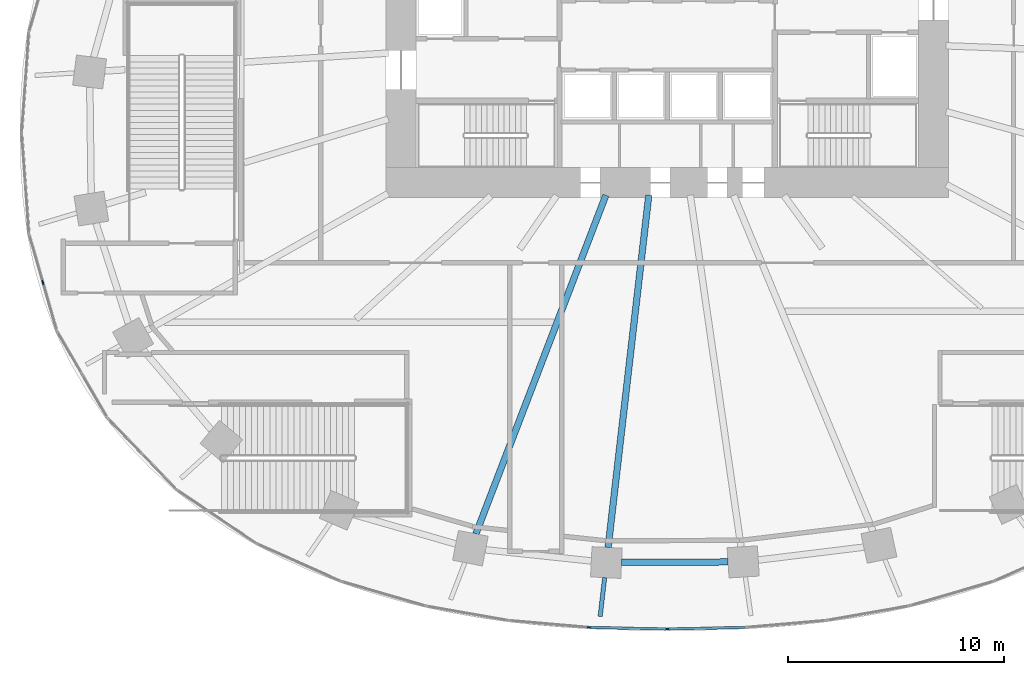
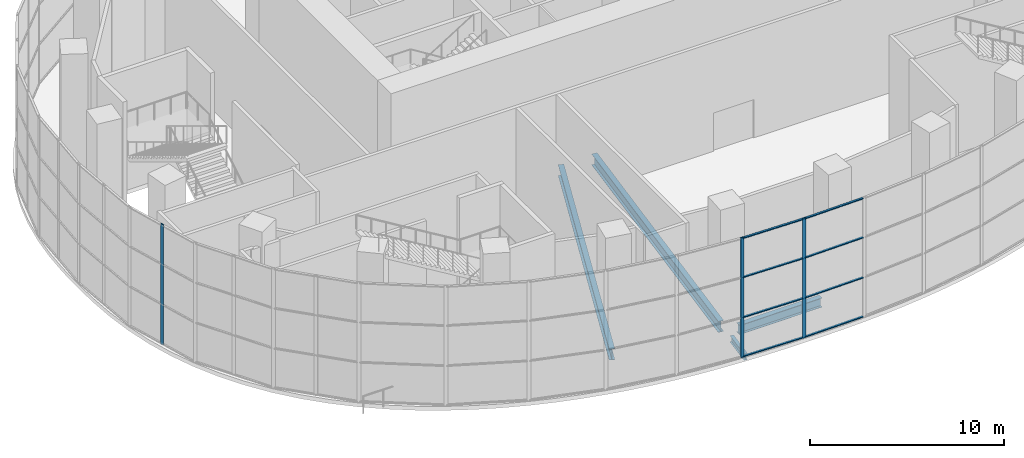
# One storey, part 3 of 22: 11 members, 4 beams, 3 elements without a shape of their own.
"""IFC4 building model written with IfcOpenShell, lengths in metres."""

import ifcopenshell
import ifcopenshell.guid

model = None  # the IFC model being written
_history = None  # IfcOwnerHistory: only IFC2X3 demands one
_inside = {}  # id of a spatial element -> (the spatial element, [elements in it])
_under = {}  # id of a project, library or spatial element -> (it, [spatial elements below it])
_declared = {}  # id of a project -> (the project, [libraries it declares])
_typed = {}  # id of a type object -> (the type object, [elements of that type])
_made_of = {}  # id of a material, layer set ... -> (it, [elements and type objects made of it])


def new_model(schema):
    """Start an empty IFC model of exactly this schema.

    Asked for "IFC4X3", IfcOpenShell would pick the latest addendum, in which some entities
    have other attributes; the version numbers below select the first issue.
    IFC2X3 requires an IfcOwnerHistory on every rooted entity: one is made here for all.
    """
    global model, _history
    if schema == "IFC4X3":
        model = ifcopenshell.file(schema_version=(4, 3, 0, 0))
    else:
        model = ifcopenshell.file(schema=schema)
    _inside.clear()
    _under.clear()
    _declared.clear()
    _typed.clear()
    _made_of.clear()
    _history = None
    if model.schema == "IFC2X3":
        org = make("IfcOrganization", Name="unknown")
        user = make(
            "IfcPersonAndOrganization",
            ThePerson=make("IfcPerson", FamilyName="unknown"),
            TheOrganization=org,
        )
        app = make(
            "IfcApplication",
            ApplicationDeveloper=org,
            Version="unknown",
            ApplicationFullName="unknown",
            ApplicationIdentifier="unknown",
        )
        _history = make(
            "IfcOwnerHistory",
            OwningUser=user,
            OwningApplication=app,
            ChangeAction="ADDED",
            CreationDate=0,
        )
    return model


def make(cls, **values):
    """One entity of the class cls with the attributes given. An attribute that is None is left unset."""
    return model.create_entity(
        cls, **{name: value for name, value in values.items() if value is not None}
    )


def rooted(cls, **values):
    """An entity with a GlobalId (a new one), such as an element, a storey or a relation."""
    return make(cls, GlobalId=ifcopenshell.guid.new(), OwnerHistory=_history, **values)


def si_unit(unit_type, name, prefix=None):
    """IfcSIUnit, for example si_unit("LENGTHUNIT", "METRE", prefix="MILLI")."""
    return make("IfcSIUnit", UnitType=unit_type, Prefix=prefix, Name=name)


def assignment(units):
    """IfcUnitAssignment: the units of a project."""
    return None if units is None else make("IfcUnitAssignment", Units=units)


def point(xyz):
    """IfcCartesianPoint."""
    return None if xyz is None else make("IfcCartesianPoint", Coordinates=xyz)


def direction(xyz):
    """IfcDirection."""
    return None if xyz is None else make("IfcDirection", DirectionRatios=xyz)


def frame(location, z_axis=None, x_axis=None):
    """IfcAxis2Placement3D, a coordinate frame: its origin and axes. An axis left out is left unset."""
    return make(
        "IfcAxis2Placement3D",
        Location=point(location),
        Axis=direction(z_axis),
        RefDirection=direction(x_axis),
    )


def frame_2d(location, x_axis=None):
    """IfcAxis2Placement2D, a coordinate frame in the plane: its origin and x axis."""
    return make(
        "IfcAxis2Placement2D", Location=point(location), RefDirection=direction(x_axis)
    )


def origin():
    """The frame at (0, 0, 0) with its axes left unset."""
    return frame((0.0, 0.0, 0.0))


def origin_2d():
    """The frame at (0, 0) in the plane with its x axis left unset."""
    return frame_2d((0.0, 0.0))


def place(relative_to, where):
    """IfcLocalPlacement: puts the frame where relative to a parent placement (None: the world)."""
    return make(
        "IfcLocalPlacement", PlacementRelTo=relative_to, RelativePlacement=where
    )


def context(
    kind, dimensions, precision=None, world=None, true_north=None, identifier=None
):
    """IfcGeometricRepresentationContext, for example the 3D "Model" context."""
    return make(
        "IfcGeometricRepresentationContext",
        ContextIdentifier=identifier,
        ContextType=kind,
        CoordinateSpaceDimension=dimensions,
        Precision=precision,
        WorldCoordinateSystem=world,
        TrueNorth=true_north,
    )


def subcontext(parent, identifier, kind, view, scale=None):
    """IfcGeometricRepresentationSubContext, for example "Body" below "Model"."""
    return make(
        "IfcGeometricRepresentationSubContext",
        ContextIdentifier=identifier,
        ContextType=kind,
        ParentContext=parent,
        TargetScale=scale,
        TargetView=view,
    )


def project(units=None, contexts=None):
    """IfcProject with its units and contexts."""
    return rooted(
        "IfcProject",
        Name="project",
        RepresentationContexts=contexts,
        UnitsInContext=assignment(units),
    )


def spatial(cls, under=None, at=None, **own):
    """A site, building, storey or space (cls), placed at a placement, below another one or the project."""
    s = rooted(cls, ObjectPlacement=at, **own)
    if under is not None:
        _under.setdefault(under.id(), (under, []))[1].append(s)
    return s


def profile(cls, at=None, kind="AREA", **sizes):
    """A parametric profile (cls). Its sizes go by their IFC names, for example OverallWidth=200.0."""
    return make(cls, ProfileType=kind, Position=at, **sizes)


def rectangle(**sizes):
    """IfcRectangleProfileDef."""
    return profile("IfcRectangleProfileDef", **sizes)


def i_section(**sizes):
    """IfcIShapeProfileDef."""
    return profile("IfcIShapeProfileDef", **sizes)


def extrude(swept, where, along, depth):
    """IfcExtrudedAreaSolid: the profile swept, set in the frame where, extruded along a direction by depth."""
    return make(
        "IfcExtrudedAreaSolid",
        SweptArea=swept,
        Position=where,
        ExtrudedDirection=direction(along),
        Depth=depth,
    )


def shape(context_of_items, identifier, shape_type, items):
    """IfcShapeRepresentation: the items that make up one representation, for example the "Body"."""
    return make(
        "IfcShapeRepresentation",
        ContextOfItems=context_of_items,
        RepresentationIdentifier=identifier,
        RepresentationType=shape_type,
        Items=items,
    )


def material(Name=None, Category=None):
    """IfcMaterial."""
    return make("IfcMaterial", Name=Name, Category=Category)


def material_profile(
    of_material, cross_section, Name=None, Category=None, Priority=None
):
    """IfcMaterialProfile: a cross section and its material."""
    return make(
        "IfcMaterialProfile",
        Name=Name,
        Material=of_material,
        Profile=cross_section,
        Priority=Priority,
        Category=Category,
    )


def profile_set(profiles, Name=None, composite=None):
    """IfcMaterialProfileSet."""
    return make(
        "IfcMaterialProfileSet",
        Name=Name,
        MaterialProfiles=profiles,
        CompositeProfile=composite,
    )


def made_of(thing, what):
    """Note that an element or type object is made of a material, layer set ...; save() writes the relation."""
    if what is not None:
        _made_of.setdefault(what.id(), (what, []))[1].append(thing)
    return thing


def type_object(cls, material=None, **own):
    """A type object (cls), such as IfcWallType, which elements share."""
    return made_of(rooted(cls, **own), material)


def element(
    cls,
    number,
    at=None,
    inside=None,
    cuts=None,
    type_object=None,
    material=None,
    context=None,
    identifier="Body",
    shape_type=None,
    held_by="IfcProductDefinitionShape",
    body=None,
    shapes=None,
    **own,
):
    """One element of the class cls, such as IfcWall. Its Tag is "e" and its number.

    at: its placement. inside: the storey or other place that contains it. cuts: it is an
    opening in that element (IfcRelVoidsElement). A single representation is given by context,
    identifier, shape_type and body (its items); several are given by shapes. held_by: the class
    of the entity that holds the representations. save() writes the other relations.
    """
    e = rooted(cls, Tag="e%d" % number, ObjectPlacement=at, **own)
    if body is not None:
        shapes = [shape(context, identifier, shape_type, body)]
    if shapes is not None:
        e.Representation = make(held_by, Representations=shapes)
    if inside is not None:
        _inside.setdefault(inside.id(), (inside, []))[1].append(e)
    if cuts is not None:
        rooted(
            "IfcRelVoidsElement", RelatingBuildingElement=cuts, RelatedOpeningElement=e
        )
    if type_object is not None:
        _typed.setdefault(type_object.id(), (type_object, []))[1].append(e)
    return made_of(e, material)


def aggregate(whole, parts):
    """IfcRelAggregates: a whole, such as a stair, and the parts it consists of."""
    return rooted("IfcRelAggregates", RelatingObject=whole, RelatedObjects=parts)


def save(model, path):
    """Write the relations noted so far, then the file.

    IfcRelAggregates (storeys below a building ...), IfcRelContainedInSpatialStructure (elements
    in a storey), IfcRelDefinesByType, IfcRelAssociatesMaterial and IfcRelDeclares: one each for
    every whole, place, type object, material and project.
    """
    for whole, parts in _under.values():
        aggregate(whole, parts)
    for where, things in _inside.values():
        rooted(
            "IfcRelContainedInSpatialStructure",
            RelatedElements=things,
            RelatingStructure=where,
        )
    for kind, things in _typed.values():
        rooted("IfcRelDefinesByType", RelatedObjects=things, RelatingType=kind)
    for what, things in _made_of.values():
        rooted("IfcRelAssociatesMaterial", RelatedObjects=things, RelatingMaterial=what)
    for by, libraries in _declared.values():
        rooted("IfcRelDeclares", RelatingContext=by, RelatedDefinitions=libraries)
    model.write(path)


model = new_model("IFC4")

# Units and contexts
model_context = context("Model", 3, precision=1e-05, world=origin(), true_north=direction((0.0, 1.0)))
body_context = subcontext(model_context, "Body", "Model", "MODEL_VIEW")
ifc_project = project(units=[si_unit("LENGTHUNIT", "METRE"), si_unit("AREAUNIT", "SQUARE_METRE"), si_unit("VOLUMEUNIT", "CUBIC_METRE"), si_unit("PLANEANGLEUNIT", "RADIAN"), si_unit("MASSUNIT", "GRAM", prefix="KILO")], contexts=[model_context])

# Site, building, storey
site_placement = place(None, origin())
site = spatial("IfcSite", under=ifc_project, at=site_placement, CompositionType="ELEMENT")
building_placement = place(site_placement, origin())
building = spatial("IfcBuilding", under=site, at=building_placement, Name="Rubra Terraces Tower", CompositionType="ELEMENT")
storey_placement = place(building_placement, frame((0.0, 0.0, 15.0)))
storey = spatial("IfcBuildingStorey", under=building, at=storey_placement, Name="L02", CompositionType="ELEMENT", Elevation=15.0)

# Beams
ifc_material_1 = material(Name="Steel Q355B", Category="steel")
ifc_material_profile_1 = material_profile(ifc_material_1, i_section(OverallWidth=0.199951171875, OverallDepth=0.39990234375, WebThickness=0.008056640625, FlangeThickness=0.012939453125, at=origin_2d()), Name="HN 400x200x8x13")
ifc_profile_set_1 = profile_set([ifc_material_profile_1], Name="Steel Q355B")
beam_type_1 = type_object("IfcBeamType", Name="CANTILEVER BEAM HN 400x200x8x13", PredefinedType="BEAM", material=ifc_profile_set_1)
beam_1_placement = place(storey_placement, frame((-2.89111328125, -20.551025390625, -0.449951171875), z_axis=(-0.114572764889, -0.99341485873, 0.0), x_axis=(0.99341485873, -0.114572764889, 0.0)))
element("IfcBeam", 1, at=beam_1_placement, inside=storey, type_object=beam_type_1, Name="beam-L02-cant-18", PredefinedType="BEAM", context=body_context, shape_type="SweptSolid", body=[
    extrude(i_section(OverallWidth=0.199951171875, OverallDepth=0.39990234375, WebThickness=0.008056640625, FlangeThickness=0.012939453125, at=origin_2d()), origin(), (0.0, 0.0, 1.0), 1.804931640625),
])
ifc_material_profile_2 = material_profile(ifc_material_1, i_section(OverallWidth=0.300048828125, OverallDepth=0.699951171875, WebThickness=0.012939453125, FlangeThickness=0.02392578125, at=origin_2d()), Name="HN 700x300x13x24")
ifc_profile_set_2 = profile_set([ifc_material_profile_2], Name="Steel Q355B")
beam_type_2 = type_object("IfcBeamType", Name="FLOOR BEAM HN 700x300x13x24", PredefinedType="BEAM", material=ifc_profile_set_2)
beam_2_placement = place(storey_placement, frame((-8.839111328125, -18.529052734375, -0.60009765625), z_axis=(0.358321803184, 0.933598139117, 0.0), x_axis=(-0.933598139117, 0.358321803184, 0.0)))
element("IfcBeam", 2, at=beam_2_placement, inside=storey, type_object=beam_type_2, Name="beam-L02-floor-17", PredefinedType="BEAM", context=body_context, shape_type="SweptSolid", body=[
    extrude(i_section(OverallWidth=0.300048828125, OverallDepth=0.699951171875, WebThickness=0.012939453125, FlangeThickness=0.02392578125, at=origin_2d()), origin(), (0.0, 0.0, 1.0), 16.753662109375),
])
beam_3_placement = place(storey_placement, frame((-2.73095703125, -19.156982421875, -0.60009765625), z_axis=(0.114679535872, 0.993402538779, 0.0), x_axis=(-0.993402538779, 0.114679535872, 0.0)))
element("IfcBeam", 3, at=beam_3_placement, inside=storey, type_object=beam_type_2, Name="beam-L02-floor-18", PredefinedType="BEAM", context=body_context, shape_type="SweptSolid", body=[
    extrude(i_section(OverallWidth=0.300048828125, OverallDepth=0.699951171875, WebThickness=0.012939453125, FlangeThickness=0.02392578125, at=origin_2d()), origin(), (0.0, 0.0, 1.0), 16.384033203125),
])

# Curtain wall, member
ifc_material_2 = material(Name="Aluminium and glass", Category="aluminium")
curtain_wall_type = type_object("IfcCurtainWallType", Name="Curtain wall Podium glazing", PredefinedType="NOTDEFINED", material=ifc_material_2)
curtain_wall_1_placement = place(storey_placement, origin())
curtain_wall_1 = element("IfcCurtainWall", 4, at=curtain_wall_1_placement, inside=storey, type_object=curtain_wall_type, Name="L02 glazing bay 22", PredefinedType="NOTDEFINED")
ifc_material_3 = material(Name="Aluminium, anodised dark grey", Category="aluminium")
ifc_material_profile_3 = material_profile(ifc_material_3, rectangle(XDim=0.06005859375, YDim=0.199951171875, at=origin_2d()), Name="AL 60x200")
ifc_profile_set_3 = profile_set([ifc_material_profile_3], Name="Aluminium, anodised dark grey")
member_type_1 = type_object("IfcMemberType", Name="Podium glazing mullion 60 x 200", PredefinedType="MULLION", material=ifc_profile_set_3)
member_1_placement = place(storey_placement, frame((-28.843505859375, -6.912841796875, 0.0), z_axis=(0.0, 0.0, 1.0), x_axis=(0.961047339404, 0.276383811798, 0.0)))
member_1 = element("IfcMember", 5, at=member_1_placement, type_object=member_type_1, Name="CW1 mullion 2", PredefinedType="MULLION", context=body_context, shape_type="SweptSolid", body=[
    extrude(rectangle(XDim=0.06005859375, YDim=0.199951171875, at=origin_2d()), origin(), (0.0, 0.0, 1.0), 7.550048828125),
])
aggregate(curtain_wall_1, [member_1])

curtain_wall_2_placement = place(storey_placement, origin())
curtain_wall_2 = element("IfcCurtainWall", 6, at=curtain_wall_2_placement, inside=storey, type_object=curtain_wall_type, Name="L02 glazing bay 30", PredefinedType="NOTDEFINED")
member_2_placement = place(storey_placement, frame((-3.598388671875, -22.84765625, 0.0), z_axis=(0.0, 0.0, 1.0), x_axis=(0.021482644428, 0.999769221365, 0.0)))
member_2 = element("IfcMember", 7, at=member_2_placement, type_object=member_type_1, Name="CW1 mullion 1", PredefinedType="MULLION", context=body_context, shape_type="SweptSolid", body=[
    extrude(rectangle(XDim=0.06005859375, YDim=0.199951171875, at=origin_2d()), origin(), (0.0, 0.0, 1.0), 7.550048828125),
])

curtain_wall_3_placement = place(storey_placement, origin())
curtain_wall_3 = element("IfcCurtainWall", 8, at=curtain_wall_3_placement, inside=storey, type_object=curtain_wall_type, Name="L02 glazing bay 31", PredefinedType="NOTDEFINED")
member_3_placement = place(storey_placement, frame((0.0283203125, -22.92431640625, 0.0), z_axis=(0.0, 0.0, 1.0), x_axis=(-0.021482644428, 0.999769221365, 0.0)))
member_3 = element("IfcMember", 9, at=member_3_placement, type_object=member_type_1, Name="CW1 mullion 1", PredefinedType="MULLION", context=body_context, shape_type="SweptSolid", body=[
    extrude(rectangle(XDim=0.06005859375, YDim=0.199951171875, at=origin_2d()), origin(), (0.0, 0.0, 1.0), 7.550048828125),
])

# Member
ifc_material_profile_4 = material_profile(ifc_material_3, rectangle(XDim=0.1201171875, YDim=0.06005859375, at=origin_2d()), Name="AL 120x60")
ifc_profile_set_4 = profile_set([ifc_material_profile_4], Name="Aluminium, anodised dark grey")
member_type_2 = type_object("IfcMemberType", Name="Podium glazing transom 120 x 60", PredefinedType="USERDEFINED", material=ifc_profile_set_4)
member_4_placement = place(storey_placement, frame((-3.568359375, -22.848388671875, 0.06005859375), z_axis=(0.99976911273, -0.021487699509, 0.0), x_axis=(0.021487699509, 0.99976911273, 0.0)))
member_4 = element("IfcMember", 10, at=member_4_placement, type_object=member_type_2, Name="CW1 transom 1.1", ObjectType="TRANSOM", PredefinedType="USERDEFINED", context=body_context, shape_type="SweptSolid", body=[
    extrude(rectangle(XDim=0.1201171875, YDim=0.06005859375, at=origin_2d()), origin(), (0.0, 0.0, 1.0), 3.5107421875),
])

member_5_placement = place(storey_placement, frame((-3.568359375, -22.848388671875, 2.5166015625), z_axis=(0.99976911273, -0.021487699509, 0.0), x_axis=(0.021487699509, 0.99976911273, 0.0)))
member_5 = element("IfcMember", 11, at=member_5_placement, type_object=member_type_2, Name="CW1 transom 1.2", ObjectType="TRANSOM", PredefinedType="USERDEFINED", context=body_context, shape_type="SweptSolid", body=[
    extrude(rectangle(XDim=0.1201171875, YDim=0.06005859375, at=origin_2d()), origin(), (0.0, 0.0, 1.0), 3.5107421875),
])

member_6_placement = place(storey_placement, frame((-3.568359375, -22.848388671875, 5.033203125), z_axis=(0.99976911273, -0.021487699509, 0.0), x_axis=(0.021487699509, 0.99976911273, 0.0)))
member_6 = element("IfcMember", 12, at=member_6_placement, type_object=member_type_2, Name="CW1 transom 1.3", ObjectType="TRANSOM", PredefinedType="USERDEFINED", context=body_context, shape_type="SweptSolid", body=[
    extrude(rectangle(XDim=0.1201171875, YDim=0.06005859375, at=origin_2d()), origin(), (0.0, 0.0, 1.0), 3.5107421875),
])

member_7_placement = place(storey_placement, frame((-3.568359375, -22.848388671875, 7.489990234375), z_axis=(0.99976911273, -0.021487699509, 0.0), x_axis=(0.021487699509, 0.99976911273, 0.0)))
member_7 = element("IfcMember", 13, at=member_7_placement, type_object=member_type_2, Name="CW1 transom 1.4", ObjectType="TRANSOM", PredefinedType="USERDEFINED", context=body_context, shape_type="SweptSolid", body=[
    extrude(rectangle(XDim=0.1201171875, YDim=0.06005859375, at=origin_2d()), origin(), (0.0, 0.0, 1.0), 3.5107421875),
])

aggregate(curtain_wall_2, [member_2, member_4, member_5, member_6, member_7])

member_8_placement = place(storey_placement, frame((0.058349609375, -22.923828125, 0.06005859375), z_axis=(0.99976911273, 0.021487699509, 0.0), x_axis=(-0.021487699509, 0.99976911273, 0.0)))
member_8 = element("IfcMember", 14, at=member_8_placement, type_object=member_type_2, Name="CW1 transom 1.1", ObjectType="TRANSOM", PredefinedType="USERDEFINED", context=body_context, shape_type="SweptSolid", body=[
    extrude(rectangle(XDim=0.1201171875, YDim=0.06005859375, at=origin_2d()), origin(), (0.0, 0.0, 1.0), 3.5107421875),
])

member_9_placement = place(storey_placement, frame((0.058349609375, -22.923828125, 2.5166015625), z_axis=(0.99976911273, 0.021487699509, 0.0), x_axis=(-0.021487699509, 0.99976911273, 0.0)))
member_9 = element("IfcMember", 15, at=member_9_placement, type_object=member_type_2, Name="CW1 transom 1.2", ObjectType="TRANSOM", PredefinedType="USERDEFINED", context=body_context, shape_type="SweptSolid", body=[
    extrude(rectangle(XDim=0.1201171875, YDim=0.06005859375, at=origin_2d()), origin(), (0.0, 0.0, 1.0), 3.5107421875),
])

member_10_placement = place(storey_placement, frame((0.058349609375, -22.923828125, 5.033203125), z_axis=(0.99976911273, 0.021487699509, 0.0), x_axis=(-0.021487699509, 0.99976911273, 0.0)))
member_10 = element("IfcMember", 16, at=member_10_placement, type_object=member_type_2, Name="CW1 transom 1.3", ObjectType="TRANSOM", PredefinedType="USERDEFINED", context=body_context, shape_type="SweptSolid", body=[
    extrude(rectangle(XDim=0.1201171875, YDim=0.06005859375, at=origin_2d()), origin(), (0.0, 0.0, 1.0), 3.5107421875),
])

member_11_placement = place(storey_placement, frame((0.058349609375, -22.923828125, 7.489990234375), z_axis=(0.99976911273, 0.021487699509, 0.0), x_axis=(-0.021487699509, 0.99976911273, 0.0)))
member_11 = element("IfcMember", 17, at=member_11_placement, type_object=member_type_2, Name="CW1 transom 1.4", ObjectType="TRANSOM", PredefinedType="USERDEFINED", context=body_context, shape_type="SweptSolid", body=[
    extrude(rectangle(XDim=0.1201171875, YDim=0.06005859375, at=origin_2d()), origin(), (0.0, 0.0, 1.0), 3.5107421875),
])

aggregate(curtain_wall_3, [member_3, member_8, member_9, member_10, member_11])

# Beam
ifc_material_profile_5 = material_profile(ifc_material_1, i_section(OverallWidth=0.300048828125, OverallDepth=0.587890625, WebThickness=0.011962890625, FlangeThickness=0.02001953125, at=origin_2d()), Name="HM 588x300x12x20")
ifc_profile_set_5 = profile_set([ifc_material_profile_5], Name="Steel Q355B")
beam_type_3 = type_object("IfcBeamType", Name="SPANDREL BEAM HM 588x300x12x20", PredefinedType="SPANDREL", material=ifc_profile_set_5)
beam_4_placement = place(storey_placement, frame((-2.110107421875, -19.85107421875, -0.5439453125), z_axis=(0.999987924698, 0.004914311469, 0.0), x_axis=(-0.004914311469, 0.999987924698, 0.0)))
element("IfcBeam", 18, at=beam_4_placement, inside=storey, type_object=beam_type_3, Name="beam-L02-spandrel-18", PredefinedType="SPANDREL", context=body_context, shape_type="SweptSolid", body=[
    extrude(i_section(OverallWidth=0.300048828125, OverallDepth=0.587890625, WebThickness=0.011962890625, FlangeThickness=0.02001953125, at=origin_2d()), origin(), (0.0, 0.0, 1.0), 4.918212890625),
])

save(model, "model.ifc")
